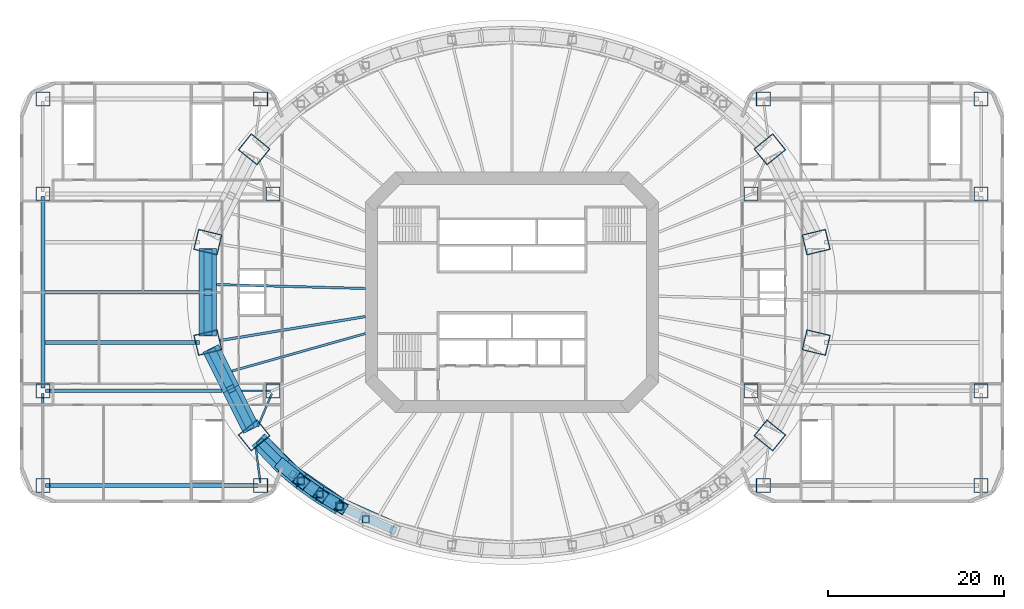
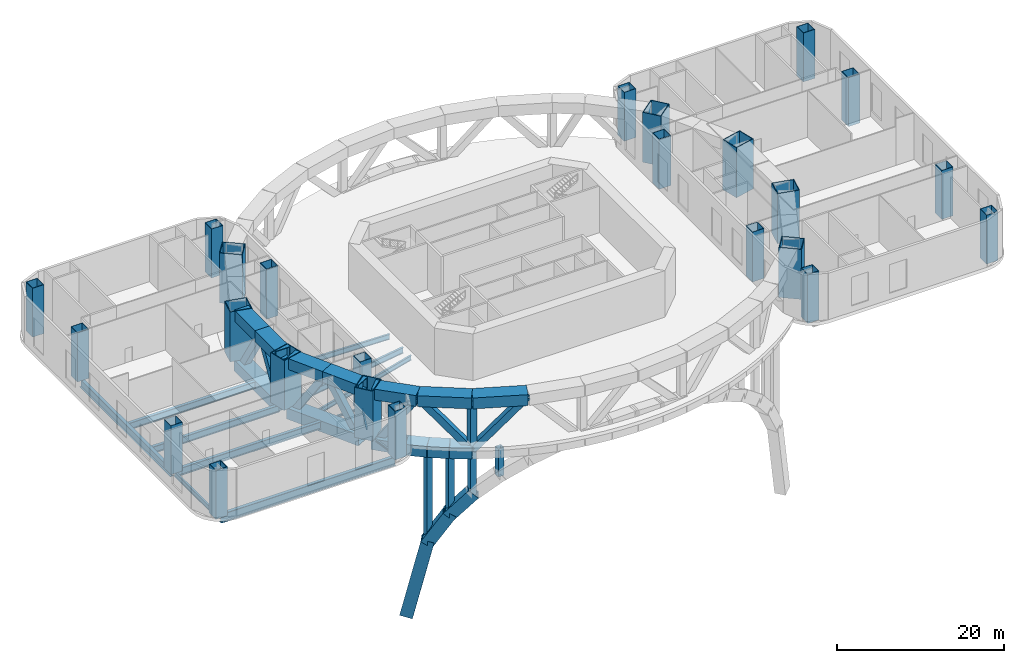
# One storey, part 1 of 13: 25 beams, 24 columns, 15 members.
"""IFC4 building model written with IfcOpenShell, lengths in metres."""

from ifc_helpers import new_model, si_unit, direction, frame, origin, origin_2d, place, context, subcontext, project, spatial, rectangle, hollow_rectangle, i_section, extrude, material, material_profile, profile_set, type_object, element, save


model = new_model("IFC4")

# Units and contexts
model_context = context("Model", 3, precision=1e-05, world=origin(), true_north=direction((0.0, 1.0)))
body_context = subcontext(model_context, "Body", "Model", "MODEL_VIEW")
ifc_project = project(units=[si_unit("LENGTHUNIT", "METRE"), si_unit("AREAUNIT", "SQUARE_METRE"), si_unit("VOLUMEUNIT", "CUBIC_METRE"), si_unit("PLANEANGLEUNIT", "RADIAN"), si_unit("MASSUNIT", "GRAM", prefix="KILO")], contexts=[model_context])

# Site, building, storey
site_placement = place(None, origin())
site = spatial("IfcSite", under=ifc_project, at=site_placement, CompositionType="ELEMENT")
building_placement = place(site_placement, origin())
building = spatial("IfcBuilding", under=site, at=building_placement, Name="Marenthal Gate Tower", CompositionType="ELEMENT")
storey_placement = place(building_placement, frame((0.0, 0.0, 26.0)))
storey = spatial("IfcBuildingStorey", under=building, at=storey_placement, Name="L03", CompositionType="ELEMENT", Elevation=26.0)

# Columns
ifc_material_1 = material(Name="Steel S460", Category="steel")
ifc_material_profile_1 = material_profile(ifc_material_1, hollow_rectangle(XDim=2.39990234375, YDim=2.800048828125, WallThickness=0.10009765625, at=origin_2d()), Name="CFT BOX 2800X2400X100")
ifc_material_2 = material(Name="Concrete 70 MPa", Category="concrete")
ifc_material_profile_2 = material_profile(ifc_material_2, rectangle(XDim=2.199951171875, YDim=2.60009765625, at=origin_2d()), Name="CFT BOX 2800X2400X100 INFILL")
ifc_profile_set_1 = profile_set([ifc_material_profile_1, ifc_material_profile_2], Name="Steel S460 shell, Concrete 70 MPa infill")
column_type_1 = type_object("IfcColumnType", Name="CFT BOX 2800X2400X100", PredefinedType="COLUMN", material=ifc_profile_set_1)
for number, where, z_axis, x_axis, name in (
    (1, (34.62158203125, 5.716064453125, -0.5), (0.0, 0.0, 1.0), (0.2330465244, -0.972465586777, 0.0), "COL-L03-01"),
    (2, (29.350830078125, 16.2783203125, -0.5), (0.0, 0.0, 1.0), (0.627070248118, -0.778962710228, 0.0), "COL-L03-02"),
    (3, (-29.350830078125, 16.2783203125, -0.5), (0.0, 0.0, 1.0), (0.627070248118, 0.778962710228, 0.0), "COL-L03-07"),
    (4, (-34.62158203125, 5.716064453125, -0.5), (0.0, 0.0, 1.0), (0.2330465244, 0.972465586777, 0.0), "COL-L03-08"),
    (5, (-34.62158203125, -5.716064453125, -0.5), (0.0, 0.0, 1.0), (-0.2330465244, 0.972465586777, 0.0), "COL-L03-09"),
    (6, (-29.350830078125, -16.2783203125, -0.5), (0.0, 0.0, 1.0), (-0.627070248118, 0.778962710228, 0.0), "COL-L03-10"),
    (7, (29.350830078125, -16.2783203125, -0.5), (0.0, 0.0, 1.0), (-0.627070248118, -0.778962710228, 0.0), "COL-L03-15"),
    (8, (34.62158203125, -5.716064453125, -0.5), (0.0, 0.0, 1.0), (-0.2330465244, -0.972465586777, 0.0), "COL-L03-16"),
):
    element("IfcColumn", number, at=place(storey_placement, frame(where, z_axis=z_axis, x_axis=x_axis)), inside=storey, type_object=column_type_1, Name=name, PredefinedType="COLUMN", context=body_context, shape_type="SweptSolid", body=[
        extrude(hollow_rectangle(XDim=2.39990234375, YDim=2.800048828125, WallThickness=0.10009765625, at=origin_2d()), origin(), (0.0, 0.0, 1.0), 7.320068359375),
    ])
ifc_material_3 = material(Name="Steel S460", Category="steel")
ifc_material_profile_3 = material_profile(ifc_material_3, hollow_rectangle(XDim=1.60009765625, YDim=1.60009765625, WallThickness=0.06005859375, at=origin_2d()), Name="CFT BOX 1600X1600X60")
ifc_material_4 = material(Name="Concrete 70 MPa", Category="concrete")
ifc_material_profile_4 = material_profile(ifc_material_4, rectangle(XDim=1.47998046875, YDim=1.47998046875, at=origin_2d()), Name="CFT BOX 1600X1600X60 INFILL")
ifc_profile_set_2 = profile_set([ifc_material_profile_3, ifc_material_profile_4], Name="Steel S460 shell, Concrete 70 MPa infill")
column_type_2 = type_object("IfcColumnType", Name="PODIUM COLUMN 1600X1600X60", PredefinedType="COLUMN", material=ifc_profile_set_2)
for number, where, z_axis, x_axis, name in (
    (9, (53.39990234375, -22.0, -0.5), (0.0, 0.0, 1.0), (1.0, 0.0, 0.0), "COL-L03-31"),
    (10, (28.60009765625, -22.0, -0.5), (0.0, 0.0, 1.0), (1.0, 0.0, 0.0), "COL-L03-32"),
    (11, (53.39990234375, -11.199951171875, -0.5), (0.0, 0.0, 1.0), (1.0, 0.0, 0.0), "COL-L03-33"),
):
    element("IfcColumn", number, at=place(storey_placement, frame(where, z_axis=z_axis, x_axis=x_axis)), inside=storey, type_object=column_type_2, Name=name, PredefinedType="COLUMN", context=body_context, shape_type="SweptSolid", body=[
        extrude(hollow_rectangle(XDim=1.60009765625, YDim=1.60009765625, WallThickness=0.06005859375, at=origin_2d()), origin(), (0.0, 0.0, 1.0), 7.159912109375),
    ])
column_1_placement = place(storey_placement, frame((27.199951171875, -11.199951171875, -0.5), z_axis=(0.0, 0.0, 1.0), x_axis=(1.0, 0.0, 0.0)))
element("IfcColumn", 12, at=column_1_placement, inside=storey, type_object=column_type_2, Name="COL-L03-34", PredefinedType="COLUMN", context=body_context, shape_type="SweptSolid", body=[
    extrude(hollow_rectangle(XDim=1.60009765625, YDim=1.60009765625, WallThickness=0.06005859375, at=origin_2d()), origin(), (0.0, 0.0, 1.0), 7.320068359375),
])
column_2_placement = place(storey_placement, frame((53.39990234375, 11.199951171875, -0.5), z_axis=(0.0, 0.0, 1.0), x_axis=(1.0, 0.0, 0.0)))
element("IfcColumn", 13, at=column_2_placement, inside=storey, type_object=column_type_2, Name="COL-L03-35", PredefinedType="COLUMN", context=body_context, shape_type="SweptSolid", body=[
    extrude(hollow_rectangle(XDim=1.60009765625, YDim=1.60009765625, WallThickness=0.06005859375, at=origin_2d()), origin(), (0.0, 0.0, 1.0), 7.159912109375),
])
column_3_placement = place(storey_placement, frame((27.199951171875, 11.199951171875, -0.5), z_axis=(0.0, 0.0, 1.0), x_axis=(1.0, 0.0, 0.0)))
element("IfcColumn", 14, at=column_3_placement, inside=storey, type_object=column_type_2, Name="COL-L03-36", PredefinedType="COLUMN", context=body_context, shape_type="SweptSolid", body=[
    extrude(hollow_rectangle(XDim=1.60009765625, YDim=1.60009765625, WallThickness=0.06005859375, at=origin_2d()), origin(), (0.0, 0.0, 1.0), 7.320068359375),
])
for number, where, z_axis, x_axis, name in (
    (15, (53.39990234375, 22.0, -0.5), (0.0, 0.0, 1.0), (1.0, 0.0, 0.0), "COL-L03-37"),
    (16, (28.60009765625, 22.0, -0.5), (0.0, 0.0, 1.0), (1.0, 0.0, 0.0), "COL-L03-38"),
    (17, (-53.39990234375, -22.0, -0.5), (0.0, 0.0, 1.0), (1.0, 0.0, 0.0), "COL-L03-39"),
    (18, (-28.60009765625, -22.0, -0.5), (0.0, 0.0, 1.0), (1.0, 0.0, 0.0), "COL-L03-40"),
    (19, (-53.39990234375, -11.199951171875, -0.5), (0.0, 0.0, 1.0), (1.0, 0.0, 0.0), "COL-L03-41"),
):
    element("IfcColumn", number, at=place(storey_placement, frame(where, z_axis=z_axis, x_axis=x_axis)), inside=storey, type_object=column_type_2, Name=name, PredefinedType="COLUMN", context=body_context, shape_type="SweptSolid", body=[
        extrude(hollow_rectangle(XDim=1.60009765625, YDim=1.60009765625, WallThickness=0.06005859375, at=origin_2d()), origin(), (0.0, 0.0, 1.0), 7.159912109375),
    ])
column_4_placement = place(storey_placement, frame((-27.199951171875, -11.199951171875, -0.5), z_axis=(0.0, 0.0, 1.0), x_axis=(1.0, 0.0, 0.0)))
element("IfcColumn", 20, at=column_4_placement, inside=storey, type_object=column_type_2, Name="COL-L03-42", PredefinedType="COLUMN", context=body_context, shape_type="SweptSolid", body=[
    extrude(hollow_rectangle(XDim=1.60009765625, YDim=1.60009765625, WallThickness=0.06005859375, at=origin_2d()), origin(), (0.0, 0.0, 1.0), 7.320068359375),
])
column_5_placement = place(storey_placement, frame((-53.39990234375, 11.199951171875, -0.5), z_axis=(0.0, 0.0, 1.0), x_axis=(1.0, 0.0, 0.0)))
element("IfcColumn", 21, at=column_5_placement, inside=storey, type_object=column_type_2, Name="COL-L03-43", PredefinedType="COLUMN", context=body_context, shape_type="SweptSolid", body=[
    extrude(hollow_rectangle(XDim=1.60009765625, YDim=1.60009765625, WallThickness=0.06005859375, at=origin_2d()), origin(), (0.0, 0.0, 1.0), 7.159912109375),
])
column_6_placement = place(storey_placement, frame((-27.199951171875, 11.199951171875, -0.5), z_axis=(0.0, 0.0, 1.0), x_axis=(1.0, 0.0, 0.0)))
element("IfcColumn", 22, at=column_6_placement, inside=storey, type_object=column_type_2, Name="COL-L03-44", PredefinedType="COLUMN", context=body_context, shape_type="SweptSolid", body=[
    extrude(hollow_rectangle(XDim=1.60009765625, YDim=1.60009765625, WallThickness=0.06005859375, at=origin_2d()), origin(), (0.0, 0.0, 1.0), 7.320068359375),
])
for number, where, z_axis, x_axis, name in (
    (23, (-53.39990234375, 22.0, -0.5), (0.0, 0.0, 1.0), (1.0, 0.0, 0.0), "COL-L03-45"),
    (24, (-28.60009765625, 22.0, -0.5), (0.0, 0.0, 1.0), (1.0, 0.0, 0.0), "COL-L03-46"),
):
    element("IfcColumn", number, at=place(storey_placement, frame(where, z_axis=z_axis, x_axis=x_axis)), inside=storey, type_object=column_type_2, Name=name, PredefinedType="COLUMN", context=body_context, shape_type="SweptSolid", body=[
        extrude(hollow_rectangle(XDim=1.60009765625, YDim=1.60009765625, WallThickness=0.06005859375, at=origin_2d()), origin(), (0.0, 0.0, 1.0), 7.159912109375),
    ])

# Beams
ifc_material_5 = material(Name="Steel S460", Category="steel")
ifc_material_profile_5 = material_profile(ifc_material_5, hollow_rectangle(XDim=2.0, YDim=1.60009765625, WallThickness=0.080078125, at=origin_2d()), Name="BOX 1600X2000X80")
ifc_profile_set_3 = profile_set([ifc_material_profile_5], Name="Steel S460")
beam_type_1 = type_object("IfcBeamType", Name="BOX 1600X2000X80 transfer chord", PredefinedType="BEAM", material=ifc_profile_set_3)
beam_1_placement = place(storey_placement, frame((-19.611572265625, -24.362060546875, -1.300048828125), z_axis=(-0.856085941815, 0.516833493716, 0.0), x_axis=(-0.516833493716, -0.856085941815, 0.0)))
element("IfcBeam", 25, at=beam_1_placement, inside=storey, type_object=beam_type_1, Name="TR-L03-87", PredefinedType="BEAM", context=body_context, shape_type="SweptSolid", body=[
    extrude(hollow_rectangle(XDim=2.0, YDim=1.60009765625, WallThickness=0.080078125, at=origin_2d()), origin(), (0.0, 0.0, 1.0), 2.65478515625),
])
beam_2_placement = place(storey_placement, frame((-21.88427734375, -22.989990234375, -1.300048828125), z_axis=(-0.81490346358, 0.579596708967, 0.0), x_axis=(-0.579596708967, -0.81490346358, 0.0)))
element("IfcBeam", 26, at=beam_2_placement, inside=storey, type_object=beam_type_1, Name="TR-L03-88", PredefinedType="BEAM", context=body_context, shape_type="SweptSolid", body=[
    extrude(hollow_rectangle(XDim=2.0, YDim=1.60009765625, WallThickness=0.080078125, at=origin_2d()), origin(), (0.0, 0.0, 1.0), 2.61865234375),
])
beam_3_placement = place(storey_placement, frame((-24.018310546875, -21.47216796875, -1.300048828125), z_axis=(-0.767717124374, 0.640788902013, 0.0), x_axis=(-0.640788902013, -0.767717124374, 0.0)))
element("IfcBeam", 27, at=beam_3_placement, inside=storey, type_object=beam_type_1, Name="TR-L03-89", PredefinedType="BEAM", context=body_context, shape_type="SweptSolid", body=[
    extrude(hollow_rectangle(XDim=2.0, YDim=1.60009765625, WallThickness=0.080078125, at=origin_2d()), origin(), (0.0, 0.0, 1.0), 2.581298828125),
])
beam_4_placement = place(storey_placement, frame((-26.0, -19.818115234375, -1.300048828125), z_axis=(-0.687434451688, 0.72624642831, 0.0), x_axis=(-0.72624642831, -0.687434451688, 0.0)))
element("IfcBeam", 28, at=beam_4_placement, inside=storey, type_object=beam_type_1, Name="TR-L03-90", PredefinedType="BEAM", context=body_context, shape_type="SweptSolid", body=[
    extrude(hollow_rectangle(XDim=2.0, YDim=1.60009765625, WallThickness=0.080078125, at=origin_2d()), origin(), (0.0, 0.0, 1.0), 4.17041015625),
])
beam_5_placement = place(storey_placement, frame((-13.5087890625, -27.069580078125, 6.02001953125), z_axis=(-0.914079762621, 0.405534446832, 0.0), x_axis=(-0.405534446832, -0.914079762621, 0.0)))
element("IfcBeam", 29, at=beam_5_placement, inside=storey, type_object=beam_type_1, Name="TR-L03-98", PredefinedType="BEAM", context=body_context, shape_type="SweptSolid", body=[
    extrude(hollow_rectangle(XDim=2.0, YDim=1.60009765625, WallThickness=0.080078125, at=origin_2d()), origin(), (0.0, 0.0, 1.0), 6.676513671875),
])
beam_6_placement = place(storey_placement, frame((-19.611572265625, -24.362060546875, 6.02001953125), z_axis=(-0.826478637243, 0.562968082737, 0.0), x_axis=(-0.562968082737, -0.826478637243, 0.0)))
element("IfcBeam", 30, at=beam_6_placement, inside=storey, type_object=beam_type_1, Name="TR-L03-99", PredefinedType="BEAM", context=body_context, shape_type="SweptSolid", body=[
    extrude(hollow_rectangle(XDim=2.0, YDim=1.60009765625, WallThickness=0.080078125, at=origin_2d()), origin(), (0.0, 0.0, 1.0), 6.472412109375),
])
beam_7_placement = place(storey_placement, frame((-24.9609375, -20.71826171875, 6.02001953125), z_axis=(-0.705032585227, 0.70917491056, 0.0), x_axis=(-0.70917491056, -0.705032585227, 0.0)))
element("IfcBeam", 31, at=beam_7_placement, inside=storey, type_object=beam_type_1, Name="TR-L03-100", PredefinedType="BEAM", context=body_context, shape_type="SweptSolid", body=[
    extrude(hollow_rectangle(XDim=2.0, YDim=1.60009765625, WallThickness=0.080078125, at=origin_2d()), origin(), (0.0, 0.0, 1.0), 5.540283203125),
])
beam_8_placement = place(storey_placement, frame((-34.62158203125, 4.982177734375, -1.300048828125), z_axis=(0.0, -1.0, 0.0), x_axis=(1.0, 0.0, 0.0)))
element("IfcBeam", 32, at=beam_8_placement, inside=storey, type_object=beam_type_1, Name="TR-L03-151", PredefinedType="BEAM", context=body_context, shape_type="SweptSolid", body=[
    extrude(hollow_rectangle(XDim=2.0, YDim=1.60009765625, WallThickness=0.080078125, at=origin_2d()), origin(), (0.0, 0.0, 1.0), 9.96435546875),
])
for number, where, z_axis, x_axis, name in (
    (33, (-34.62158203125, 4.982177734375, 6.02001953125), (0.0, -1.0, 0.0), (1.0, 0.0, 0.0), "TR-L03-152"),
    (34, (-34.62158203125, 0.0, 6.02001953125), (0.0, -1.0, 0.0), (1.0, 0.0, 0.0), "TR-L03-153"),
):
    element("IfcBeam", number, at=place(storey_placement, frame(where, z_axis=z_axis, x_axis=x_axis)), inside=storey, type_object=beam_type_1, Name=name, PredefinedType="BEAM", context=body_context, shape_type="SweptSolid", body=[
        extrude(hollow_rectangle(XDim=2.0, YDim=1.60009765625, WallThickness=0.080078125, at=origin_2d()), origin(), (0.0, 0.0, 1.0), 4.982177734375),
    ])
beam_9_placement = place(storey_placement, frame((-34.294921875, -6.370849609375, -1.300048828125), z_axis=(0.446514857693, -0.894776218872, 0.0), x_axis=(0.894776218872, 0.446514857693, 0.0)))
element("IfcBeam", 35, at=beam_9_placement, inside=storey, type_object=beam_type_1, Name="TR-L03-156", PredefinedType="BEAM", context=body_context, shape_type="SweptSolid", body=[
    extrude(hollow_rectangle(XDim=2.0, YDim=1.60009765625, WallThickness=0.080078125, at=origin_2d()), origin(), (0.0, 0.0, 1.0), 10.34423828125),
])
for number, where, z_axis, x_axis, name in (
    (36, (-34.294921875, -6.370849609375, 6.02001953125), (0.446495961537, -0.89478564826, 0.0), (0.89478564826, 0.446495961537, 0.0), "TR-L03-157"),
    (37, (-31.985595703125, -10.998779296875, 6.02001953125), (0.446533753251, -0.894766789285, 0.0), (0.894766789285, 0.446533753251, 0.0), "TR-L03-158"),
):
    element("IfcBeam", number, at=place(storey_placement, frame(where, z_axis=z_axis, x_axis=x_axis)), inside=storey, type_object=beam_type_1, Name=name, PredefinedType="BEAM", context=body_context, shape_type="SweptSolid", body=[
        extrude(hollow_rectangle(XDim=2.0, YDim=1.60009765625, WallThickness=0.080078125, at=origin_2d()), origin(), (0.0, 0.0, 1.0), 5.172119140625),
    ])
ifc_material_6 = material(Name="Steel S355", Category="steel")
ifc_material_profile_6 = material_profile(ifc_material_6, i_section(OverallWidth=0.419921875, OverallDepth=1.0, WebThickness=0.02001953125, FlangeThickness=0.035888671875, at=origin_2d()), Name="PLATE GIRDER 1000X420X20X36")
ifc_profile_set_4 = profile_set([ifc_material_profile_6], Name="Steel S355")
beam_type_2 = type_object("IfcBeamType", Name="PLATE GIRDER 1000X420X20X36 beam", PredefinedType="BEAM", material=ifc_profile_set_4)
beam_10_placement = place(storey_placement, frame((-35.561279296875, -5.716064453125, -1.0), z_axis=(-1.0, 0.0, 0.0), x_axis=(0.0, -1.0, 0.0)))
element("IfcBeam", 38, at=beam_10_placement, inside=storey, type_object=beam_type_2, Name="BM-L03-123", PredefinedType="BEAM", context=body_context, shape_type="SweptSolid", body=[
    extrude(i_section(OverallWidth=0.419921875, OverallDepth=1.0, WebThickness=0.02001953125, FlangeThickness=0.035888671875, at=origin_2d()), origin(), (0.0, 0.0, 1.0), 17.61376953125),
])
beam_11_placement = place(storey_placement, frame((-35.62158203125, 0.0, -1.0), z_axis=(-1.0, 0.0, 0.0), x_axis=(0.0, -1.0, 0.0)))
element("IfcBeam", 39, at=beam_11_placement, inside=storey, type_object=beam_type_2, Name="BM-L03-124", PredefinedType="BEAM", context=body_context, shape_type="SweptSolid", body=[
    extrude(i_section(OverallWidth=0.419921875, OverallDepth=1.0, WebThickness=0.02001953125, FlangeThickness=0.035888671875, at=origin_2d()), origin(), (0.0, 0.0, 1.0), 17.553466796875),
])
ifc_material_7 = material(Name="Steel S355", Category="steel")
ifc_material_profile_7 = material_profile(ifc_material_7, i_section(OverallWidth=0.429931640625, OverallDepth=1.10009765625, WebThickness=0.02001953125, FlangeThickness=0.0400390625, at=origin_2d()), Name="PLATE GIRDER 1100X430X20X40")
ifc_profile_set_5 = profile_set([ifc_material_profile_7], Name="Steel S355")
beam_type_3 = type_object("IfcBeamType", Name="PLATE GIRDER 1100X430X20X40 beam", PredefinedType="BEAM", material=ifc_profile_set_5)
beam_12_placement = place(storey_placement, frame((-33.002685546875, -11.199951171875, -1.050048828125), z_axis=(-1.0, 0.0, 0.0), x_axis=(0.0, -1.0, 0.0)))
element("IfcBeam", 40, at=beam_12_placement, inside=storey, type_object=beam_type_3, Name="BM-L03-122", PredefinedType="BEAM", context=body_context, shape_type="SweptSolid", body=[
    extrude(i_section(OverallWidth=0.429931640625, OverallDepth=1.10009765625, WebThickness=0.02001953125, FlangeThickness=0.0400390625, at=origin_2d()), origin(), (0.0, 0.0, 1.0), 20.097412109375),
])
ifc_material_8 = material(Name="Steel S355", Category="steel")
ifc_material_profile_8 = material_profile(ifc_material_8, i_section(OverallWidth=0.449951171875, OverallDepth=1.199951171875, WebThickness=0.02197265625, FlangeThickness=0.0400390625, at=origin_2d()), Name="PLATE GIRDER 1200X450X22X40")
ifc_profile_set_6 = profile_set([ifc_material_profile_8], Name="Steel S355")
beam_type_4 = type_object("IfcBeamType", Name="PLATE GIRDER 1200X450X22X40 beam", PredefinedType="BEAM", material=ifc_profile_set_6)
beam_13_placement = place(storey_placement, frame((-53.39990234375, -10.89990234375, -1.10009765625), z_axis=(0.0, 1.0, 0.0), x_axis=(-1.0, 0.0, 0.0)))
element("IfcBeam", 41, at=beam_13_placement, inside=storey, type_object=beam_type_4, Name="BM-L03-118", PredefinedType="BEAM", context=body_context, shape_type="SweptSolid", body=[
    extrude(i_section(OverallWidth=0.449951171875, OverallDepth=1.199951171875, WebThickness=0.02197265625, FlangeThickness=0.0400390625, at=origin_2d()), origin(), (0.0, 0.0, 1.0), 21.7998046875),
])
ifc_material_9 = material(Name="Steel S355", Category="steel")
ifc_material_profile_9 = material_profile(ifc_material_9, i_section(OverallWidth=0.4599609375, OverallDepth=1.300048828125, WebThickness=0.02490234375, FlangeThickness=0.044921875, at=origin_2d()), Name="PLATE GIRDER 1300X460X25X45")
ifc_profile_set_7 = profile_set([ifc_material_profile_9], Name="Steel S355")
beam_type_5 = type_object("IfcBeamType", Name="PLATE GIRDER 1300X460X25X45 beam", PredefinedType="BEAM", material=ifc_profile_set_7)
beam_14_placement = place(storey_placement, frame((-28.89990234375, -22.0, -1.14990234375), z_axis=(-1.0, 0.0, 0.0), x_axis=(0.0, -1.0, 0.0)))
element("IfcBeam", 42, at=beam_14_placement, inside=storey, type_object=beam_type_5, Name="BM-L03-120", PredefinedType="BEAM", context=body_context, shape_type="SweptSolid", body=[
    extrude(i_section(OverallWidth=0.4599609375, OverallDepth=1.300048828125, WebThickness=0.02490234375, FlangeThickness=0.044921875, at=origin_2d()), origin(), (0.0, 0.0, 1.0), 24.2001953125),
])
ifc_material_10 = material(Name="Steel S355", Category="steel")
ifc_material_profile_10 = material_profile(ifc_material_10, i_section(OverallWidth=0.202880859375, OverallDepth=0.302001953125, WebThickness=0.007568359375, FlangeThickness=0.01318359375, FilletRadius=0.0126953125, at=origin_2d()), Name="W310X60")
ifc_profile_set_8 = profile_set([ifc_material_profile_10], Name="Steel S355")
beam_type_6 = type_object("IfcBeamType", Name="W310X60 beam", PredefinedType="BEAM", material=ifc_profile_set_8)
beam_15_placement = place(storey_placement, frame((-27.5, -11.199951171875, -0.65087890625), z_axis=(-1.0, 0.0, 0.0), x_axis=(0.0, -1.0, 0.0)))
element("IfcBeam", 43, at=beam_15_placement, inside=storey, type_object=beam_type_6, Name="BM-L03-121", PredefinedType="BEAM", context=body_context, shape_type="SweptSolid", body=[
    extrude(i_section(OverallWidth=0.202880859375, OverallDepth=0.302001953125, WebThickness=0.007568359375, FlangeThickness=0.01318359375, FilletRadius=0.0126953125, at=origin_2d()), origin(), (0.0, 0.0, 1.0), 3.267333984375),
])
beam_16_placement = place(storey_placement, frame((-27.34375, -11.53955078125, -0.65087890625), z_axis=(-0.390030578719, -0.920801904681, 0.0), x_axis=(0.920801904681, -0.390030578719, 0.0)))
element("IfcBeam", 44, at=beam_16_placement, inside=storey, type_object=beam_type_6, Name="BM-L03-131", PredefinedType="BEAM", context=body_context, shape_type="SweptSolid", body=[
    extrude(i_section(OverallWidth=0.202880859375, OverallDepth=0.302001953125, WebThickness=0.007568359375, FlangeThickness=0.01318359375, FilletRadius=0.0126953125, at=origin_2d()), origin(), (0.0, 0.0, 1.0), 4.057373046875),
])
beam_17_placement = place(storey_placement, frame((-29.159423828125, -17.73681640625, -0.65087890625), z_axis=(0.130112868393, -0.991499188844, 0.0), x_axis=(0.991499188844, 0.130112868393, 0.0)))
element("IfcBeam", 45, at=beam_17_placement, inside=storey, type_object=beam_type_6, Name="BM-L03-132", PredefinedType="BEAM", context=body_context, shape_type="SweptSolid", body=[
    extrude(i_section(OverallWidth=0.202880859375, OverallDepth=0.302001953125, WebThickness=0.007568359375, FlangeThickness=0.01318359375, FilletRadius=0.0126953125, at=origin_2d()), origin(), (0.0, 0.0, 1.0), 3.992919921875),
])
ifc_material_11 = material(Name="Steel S355", Category="steel")
ifc_material_profile_11 = material_profile(ifc_material_11, i_section(OverallWidth=0.25390625, OverallDepth=0.68310546875, WebThickness=0.012451171875, FlangeThickness=0.018798828125, FilletRadius=0.01513671875, at=origin_2d()), Name="W690X140")
ifc_profile_set_9 = profile_set([ifc_material_profile_11], Name="Steel S355")
beam_type_7 = type_object("IfcBeamType", Name="W690X140 beam", PredefinedType="BEAM", material=ifc_profile_set_9)
beam_18_placement = place(storey_placement, frame((-53.39990234375, -21.699951171875, -0.841552734375), z_axis=(0.0, 1.0, 0.0), x_axis=(-1.0, 0.0, 0.0)))
element("IfcBeam", 46, at=beam_18_placement, inside=storey, type_object=beam_type_7, Name="BM-L03-117", PredefinedType="BEAM", context=body_context, shape_type="SweptSolid", body=[
    extrude(i_section(OverallWidth=0.25390625, OverallDepth=0.68310546875, WebThickness=0.012451171875, FlangeThickness=0.018798828125, FilletRadius=0.01513671875, at=origin_2d()), origin(), (0.0, 0.0, 1.0), 10.199951171875),
])
ifc_material_12 = material(Name="Steel S355", Category="steel")
ifc_material_profile_12 = material_profile(ifc_material_12, i_section(OverallWidth=0.257080078125, OverallDepth=0.693115234375, WebThickness=0.014404296875, FlangeThickness=0.023681640625, FilletRadius=0.015380859375, at=origin_2d()), Name="W690X170")
ifc_profile_set_10 = profile_set([ifc_material_profile_12], Name="Steel S355")
beam_type_8 = type_object("IfcBeamType", Name="W690X170 beam", PredefinedType="BEAM", material=ifc_profile_set_10)
beam_19_placement = place(storey_placement, frame((-31.884521484375, -8.961181640625, -0.846435546875), z_axis=(0.962701855146, 0.27056448048, 0.0), x_axis=(-0.27056448048, 0.962701855146, 0.0)))
element("IfcBeam", 47, at=beam_19_placement, inside=storey, type_object=beam_type_8, Name="BM-L03-29", PredefinedType="BEAM", context=body_context, shape_type="SweptSolid", body=[
    extrude(i_section(OverallWidth=0.257080078125, OverallDepth=0.693115234375, WebThickness=0.014404296875, FlangeThickness=0.023681640625, FilletRadius=0.015380859375, at=origin_2d()), origin(), (0.0, 0.0, 1.0), 15.77294921875),
])
ifc_material_13 = material(Name="Steel S355", Category="steel")
ifc_material_profile_13 = material_profile(ifc_material_13, i_section(OverallWidth=0.26708984375, OverallDepth=0.761962890625, WebThickness=0.014404296875, FlangeThickness=0.021484375, FilletRadius=0.0166015625, at=origin_2d()), Name="W760X173")
ifc_profile_set_11 = profile_set([ifc_material_profile_13], Name="Steel S355")
beam_type_9 = type_object("IfcBeamType", Name="W760X173 beam", PredefinedType="BEAM", material=ifc_profile_set_11)
beam_20_placement = place(storey_placement, frame((-33.62158203125, 0.88818359375, -0.881103515625), z_axis=(0.999651249269, -0.026407950216, 0.0), x_axis=(0.026407950216, 0.999651249269, 0.0)))
element("IfcBeam", 48, at=beam_20_placement, inside=storey, type_object=beam_type_9, Name="BM-L03-28", PredefinedType="BEAM", context=body_context, shape_type="SweptSolid", body=[
    extrude(i_section(OverallWidth=0.26708984375, OverallDepth=0.761962890625, WebThickness=0.014404296875, FlangeThickness=0.021484375, FilletRadius=0.0166015625, at=origin_2d()), origin(), (0.0, 0.0, 1.0), 16.927490234375),
])
ifc_material_14 = material(Name="Steel S355", Category="steel")
ifc_material_profile_14 = material_profile(ifc_material_14, i_section(OverallWidth=0.2919921875, OverallDepth=0.841064453125, WebThickness=0.0146484375, FlangeThickness=0.021728515625, FilletRadius=0.017822265625, at=origin_2d()), Name="W840X193")
ifc_profile_set_12 = profile_set([ifc_material_profile_14], Name="Steel S355")
beam_type_10 = type_object("IfcBeamType", Name="W840X193 beam", PredefinedType="BEAM", material=ifc_profile_set_12)
beam_21_placement = place(storey_placement, frame((-33.23681640625, -5.487548828125, -0.92041015625), z_axis=(0.986641210425, 0.162908323576, 0.0), x_axis=(-0.162908323576, 0.986641210425, 0.0)))
element("IfcBeam", 49, at=beam_21_placement, inside=storey, type_object=beam_type_10, Name="BM-L03-09", PredefinedType="BEAM", context=body_context, shape_type="SweptSolid", body=[
    extrude(i_section(OverallWidth=0.2919921875, OverallDepth=0.841064453125, WebThickness=0.0146484375, FlangeThickness=0.021728515625, FilletRadius=0.017822265625, at=origin_2d()), origin(), (0.0, 0.0, 1.0), 16.7607421875),
])

# Members
ifc_material_15 = material(Name="Steel S355", Category="steel")
ifc_material_profile_15 = material_profile(ifc_material_15, hollow_rectangle(XDim=1.39990234375, YDim=1.60009765625, WallThickness=0.080078125, at=origin_2d()), Name="BOX 1600X1400X80")
ifc_profile_set_13 = profile_set([ifc_material_profile_15], Name="Steel S355")
member_type_1 = type_object("IfcMemberType", Name="arch rib BOX 1600X1400X80", PredefinedType="MEMBER", material=ifc_profile_set_13)
member_1_placement = place(storey_placement, frame((-19.439453125, -24.466064453125, -7.50634765625), z_axis=(-0.573779649297, 0.346441075684, -0.742129028627), x_axis=(-0.516877933395, -0.856059111259, 0.0)))
element("IfcMember", 50, at=member_1_placement, inside=storey, type_object=member_type_1, Name="AR-S-L03-116", PredefinedType="MEMBER", context=body_context, shape_type="SweptSolid", body=[
    extrude(hollow_rectangle(XDim=1.39990234375, YDim=1.60009765625, WallThickness=0.080078125, at=origin_2d()), origin(), (0.0, 0.0, 1.0), 4.560791015625),
])
member_2_placement = place(storey_placement, frame((-21.755126953125, -23.081787109375, -10.413818359375), z_axis=(-0.430712471609, 0.306364519554, -0.848897843064), x_axis=(-0.579624424771, -0.814883750119, 0.0)))
element("IfcMember", 51, at=member_2_placement, inside=storey, type_object=member_type_1, Name="AR-S-L03-117", PredefinedType="MEMBER", context=body_context, shape_type="SweptSolid", body=[
    extrude(hollow_rectangle(XDim=1.39990234375, YDim=1.60009765625, WallThickness=0.080078125, at=origin_2d()), origin(), (0.0, 0.0, 1.0), 5.554443359375),
])
member_3_placement = place(storey_placement, frame((-23.96630859375, -21.515625, -14.58203125), z_axis=(-0.173504810862, 0.144823403352, -0.974126409892), x_axis=(-0.640800619675, -0.767707343865, 0.0)))
element("IfcMember", 52, at=member_3_placement, inside=storey, type_object=member_type_1, Name="AR-S-L03-118", PredefinedType="MEMBER", context=body_context, shape_type="SweptSolid", body=[
    extrude(hollow_rectangle(XDim=1.39990234375, YDim=1.60009765625, WallThickness=0.080078125, at=origin_2d()), origin(), (0.0, 0.0, 1.0), 11.72119140625),
])
ifc_material_16 = material(Name="Steel S355", Category="steel")
ifc_material_profile_16 = material_profile(ifc_material_16, hollow_rectangle(XDim=0.800048828125, YDim=0.800048828125, WallThickness=0.044921875, at=origin_2d()), Name="BOX 800X800X45")
ifc_profile_set_14 = profile_set([ifc_material_profile_16], Name="Steel S355")
member_type_2 = type_object("IfcMemberType", Name="arch strut BOX 800X800X45", PredefinedType="POST", material=ifc_profile_set_14)
member_4_placement = place(storey_placement, frame((-16.640380859375, -25.84033203125, -5.21240234375), z_axis=(0.0, 0.0, 1.0), x_axis=(1.0, 0.0, 0.0)))
element("IfcMember", 53, at=member_4_placement, inside=storey, type_object=member_type_2, Name="AS-S-L03-126", PredefinedType="POST", context=body_context, shape_type="SweptSolid", body=[
    extrude(hollow_rectangle(XDim=0.800048828125, YDim=0.800048828125, WallThickness=0.044921875, at=origin_2d()), origin(), (0.0, 0.0, 1.0), 4.0625),
])
member_5_placement = place(storey_placement, frame((-19.611572265625, -24.362060546875, -7.87890625), z_axis=(0.0, 0.0, 1.0), x_axis=(1.0, 0.0, 0.0)))
element("IfcMember", 54, at=member_5_placement, inside=storey, type_object=member_type_2, Name="AS-S-L03-127", PredefinedType="POST", context=body_context, shape_type="SweptSolid", body=[
    extrude(hollow_rectangle(XDim=0.800048828125, YDim=0.800048828125, WallThickness=0.044921875, at=origin_2d()), origin(), (0.0, 0.0, 1.0), 6.72900390625),
])
member_6_placement = place(storey_placement, frame((-21.88427734375, -22.989990234375, -10.818359375), z_axis=(0.0, 0.0, 1.0), x_axis=(1.0, 0.0, 0.0)))
element("IfcMember", 55, at=member_6_placement, inside=storey, type_object=member_type_2, Name="AS-S-L03-129", PredefinedType="POST", context=body_context, shape_type="SweptSolid", body=[
    extrude(hollow_rectangle(XDim=0.800048828125, YDim=0.800048828125, WallThickness=0.044921875, at=origin_2d()), origin(), (0.0, 0.0, 1.0), 9.66845703125),
])
member_7_placement = place(storey_placement, frame((-24.018310546875, -21.47216796875, -15.024169921875), z_axis=(0.0, 0.0, 1.0), x_axis=(1.0, 0.0, 0.0)))
element("IfcMember", 56, at=member_7_placement, inside=storey, type_object=member_type_2, Name="AS-S-L03-130", PredefinedType="POST", context=body_context, shape_type="SweptSolid", body=[
    extrude(hollow_rectangle(XDim=0.800048828125, YDim=0.800048828125, WallThickness=0.044921875, at=origin_2d()), origin(), (0.0, 0.0, 1.0), 13.874267578125),
])
ifc_material_17 = material(Name="Steel S355", Category="steel")
ifc_material_profile_17 = material_profile(ifc_material_17, hollow_rectangle(XDim=0.89990234375, YDim=0.89990234375, WallThickness=0.050048828125, at=origin_2d()), Name="BOX 900X900X50")
ifc_profile_set_15 = profile_set([ifc_material_profile_17], Name="Steel S355")
member_type_3 = type_object("IfcMemberType", Name="transfer truss diagonal BOX 900X900X50", PredefinedType="BRACE", material=ifc_profile_set_15)
member_8_placement = place(storey_placement, frame((-13.5087890625, -27.069580078125, 6.02001953125), z_axis=(-0.615977764166, 0.273280529847, -0.738843113293), x_axis=(-0.405534446832, -0.914079762621, 0.0)))
element("IfcMember", 57, at=member_8_placement, inside=storey, type_object=member_type_3, Name="TR-L03-138", PredefinedType="BRACE", context=body_context, shape_type="SweptSolid", body=[
    extrude(hollow_rectangle(XDim=0.89990234375, YDim=0.89990234375, WallThickness=0.050048828125, at=origin_2d()), origin(), (0.0, 0.0, 1.0), 9.907470703125),
])
member_9_placement = place(storey_placement, frame((-19.611572265625, -24.362060546875, -1.300048828125), z_axis=(-0.547462379603, 0.372912054017, 0.749147210425), x_axis=(-0.562968082737, -0.826478637243, 0.0)))
element("IfcMember", 58, at=member_9_placement, inside=storey, type_object=member_type_3, Name="TR-L03-139", PredefinedType="BRACE", context=body_context, shape_type="SweptSolid", body=[
    extrude(hollow_rectangle(XDim=0.89990234375, YDim=0.89990234375, WallThickness=0.050048828125, at=origin_2d()), origin(), (0.0, 0.0, 1.0), 9.771240234375),
])
member_10_placement = place(storey_placement, frame((-24.9609375, -20.71826171875, 6.02001953125), z_axis=(-0.400817829564, 0.4012024125, -0.823639297088), x_axis=(-0.7074457701, -0.706767629683, 0.0)))
element("IfcMember", 59, at=member_10_placement, inside=storey, type_object=member_type_3, Name="TR-L03-140", PredefinedType="BRACE", context=body_context, shape_type="SweptSolid", body=[
    extrude(hollow_rectangle(XDim=0.89990234375, YDim=0.89990234375, WallThickness=0.050048828125, at=origin_2d()), origin(), (0.0, 0.0, 1.0), 8.887451171875),
])
for number, where, z_axis, x_axis, name in (
    (60, (-34.62158203125, 4.482177734375, -1.300048828125), (0.0, -0.522196502881, 0.852825194503), (1.0, 0.0, 0.0), "TR-L03-154"),
    (61, (-34.62158203125, 0.0, 6.02001953125), (0.0, -0.522196502881, -0.852825194503), (1.0, 0.0, 0.0), "TR-L03-155"),
):
    element("IfcMember", number, at=place(storey_placement, frame(where, z_axis=z_axis, x_axis=x_axis)), inside=storey, type_object=member_type_3, Name=name, PredefinedType="BRACE", context=body_context, shape_type="SweptSolid", body=[
        extrude(hollow_rectangle(XDim=0.89990234375, YDim=0.89990234375, WallThickness=0.050048828125, at=origin_2d()), origin(), (0.0, 0.0, 1.0), 8.583251953125),
    ])
for number, where, z_axis, x_axis, name in (
    (62, (-34.07177734375, -6.818359375, -1.300048828125), (0.240233422862, -0.481394604992, 0.842939580768), (0.894771811668, 0.446523689231, 0.0), "TR-L03-159"),
    (63, (-31.985595703125, -10.998779296875, 6.02001953125), (0.240233422862, -0.481394604992, -0.842939580768), (0.894771811668, 0.446523689231, 0.0), "TR-L03-160"),
):
    element("IfcMember", number, at=place(storey_placement, frame(where, z_axis=z_axis, x_axis=x_axis)), inside=storey, type_object=member_type_3, Name=name, PredefinedType="BRACE", context=body_context, shape_type="SweptSolid", body=[
        extrude(hollow_rectangle(XDim=0.89990234375, YDim=0.89990234375, WallThickness=0.050048828125, at=origin_2d()), origin(), (0.0, 0.0, 1.0), 8.68408203125),
    ])
ifc_material_18 = material(Name="Steel S355", Category="steel")
ifc_material_profile_18 = material_profile(ifc_material_18, hollow_rectangle(XDim=0.89990234375, YDim=0.89990234375, WallThickness=0.050048828125, at=origin_2d()), Name="BOX 900X900X50")
ifc_profile_set_16 = profile_set([ifc_material_profile_18], Name="Steel S355")
member_type_4 = type_object("IfcMemberType", Name="transfer truss post BOX 900X900X50", PredefinedType="POST", material=ifc_profile_set_16)
member_11_placement = place(storey_placement, frame((-19.611572265625, -24.362060546875, -1.300048828125), z_axis=(0.0, 0.0, 1.0), x_axis=(1.0, 0.0, 0.0)))
element("IfcMember", 64, at=member_11_placement, inside=storey, type_object=member_type_4, Name="TR-L03-128", PredefinedType="POST", context=body_context, shape_type="SweptSolid", body=[
    extrude(hollow_rectangle(XDim=0.89990234375, YDim=0.89990234375, WallThickness=0.050048828125, at=origin_2d()), origin(), (0.0, 0.0, 1.0), 7.320068359375),
])

save(model, "model.ifc")
